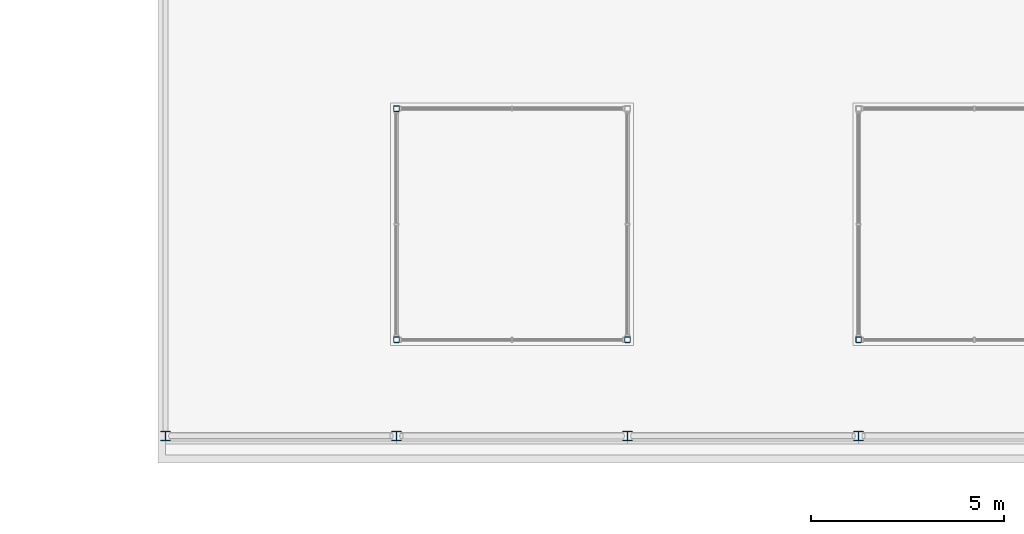
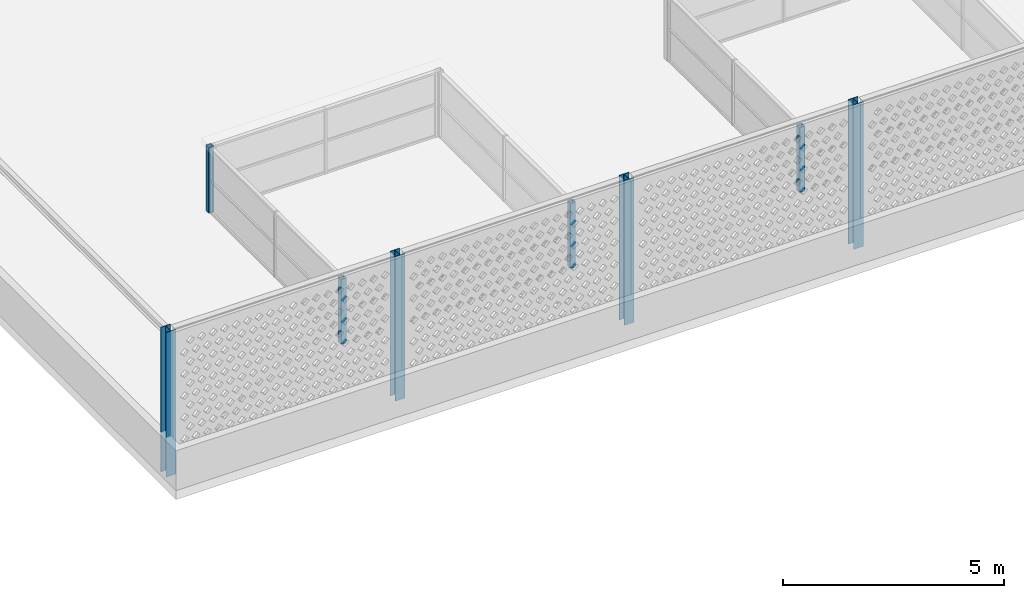
# One storey, part 1 of 18: 8 columns.
"""IFC4 building model written with IfcOpenShell, lengths in metres."""

from ifc_helpers import new_model, si_unit, direction, frame, origin, origin_2d, place, context, subcontext, project, spatial, hollow_rectangle, i_section, extrude, source, transform, mapped, material, material_profile, profile_set, type_object, element, save


model = new_model("IFC4")

# Units and contexts
model_context = context("Model", 3, precision=1e-05, world=origin(), true_north=direction((0.0, 1.0)))
body_context = subcontext(model_context, "Body", "Model", "MODEL_VIEW")
ifc_project = project(units=[si_unit("LENGTHUNIT", "METRE"), si_unit("AREAUNIT", "SQUARE_METRE"), si_unit("VOLUMEUNIT", "CUBIC_METRE"), si_unit("PLANEANGLEUNIT", "RADIAN"), si_unit("MASSUNIT", "GRAM", prefix="KILO")], contexts=[model_context])

# Site, building, storey
site_placement = place(None, origin())
site = spatial("IfcSite", under=ifc_project, at=site_placement, CompositionType="ELEMENT")
building_placement = place(site_placement, origin())
building = spatial("IfcBuilding", under=site, at=building_placement, Name="Poui Terraces", CompositionType="ELEMENT")
storey_placement = place(building_placement, frame((0.0, 0.0, 285.60009765625)))
storey = spatial("IfcBuildingStorey", under=building, at=storey_placement, Name="L79 CROWN", CompositionType="ELEMENT", Elevation=285.60009765625)

# Columns
ifc_material_1 = material(Name="Steel Grade 300 MPa", Category="steel")
ifc_material_profile_1 = material_profile(ifc_material_1, i_section(OverallWidth=0.25390625, OverallDepth=0.25390625, WebThickness=0.008544921875, FlangeThickness=0.01416015625, FilletRadius=0.013916015625, at=origin_2d()), Name="250UC72.9")
ifc_profile_set_1 = profile_set([ifc_material_profile_1], Name="Steel Grade 300 MPa")
column_type_1 = type_object("IfcColumnType", Name="SCREEN FRAME POST 250UC72.9", PredefinedType="COLUMN", material=ifc_profile_set_1)
shared_shape_1 = source(origin(), body_context, "Body", "SweptSolid", [
    extrude(i_section(OverallWidth=0.25390625, OverallDepth=0.25390625, WebThickness=0.008544921875, FlangeThickness=0.01416015625, FilletRadius=0.013916015625, at=origin_2d()), origin(), (0.0, 0.0, 1.0), 4.0),
])
for number, where, z_axis, x_axis, name in (
    (1, (54.0, 0.5, 0.0), (0.0, 0.0, 1.0), (1.0, 0.0, 0.0), "SCREEN FRAME POST S10"),
    (2, (60.0, 0.5, 0.0), (0.0, 0.0, 1.0), (1.0, 0.0, 0.0), "SCREEN FRAME POST S11"),
    (3, (66.0, 0.5, 0.0), (0.0, 0.0, 1.0), (1.0, 0.0, 0.0), "SCREEN FRAME POST S12"),
    (4, (72.0, 0.5, 0.0), (0.0, 0.0, 1.0), (1.0, 0.0, 0.0), "SCREEN FRAME POST S13"),
):
    element("IfcColumn", number, at=place(storey_placement, frame(where, z_axis=z_axis, x_axis=x_axis)), inside=storey, type_object=column_type_1, Name=name, PredefinedType="COLUMN", context=body_context, shape_type="MappedRepresentation", body=[
        mapped(shared_shape_1, transform((0.0, 0.0, 0.0))),
    ])
ifc_material_2 = material(Name="Steel Grade 350 MPa", Category="steel")
ifc_material_profile_2 = material_profile(ifc_material_2, hollow_rectangle(XDim=0.14990234375, YDim=0.14990234375, WallThickness=0.009033203125, InnerFilletRadius=0.013427734375, OuterFilletRadius=0.0224609375, at=origin_2d()), Name="150x150x9.0 SHS")
ifc_profile_set_2 = profile_set([ifc_material_profile_2], Name="Steel Grade 350 MPa")
column_type_2 = type_object("IfcColumnType", Name="LANTERN POST 150x150x9.0 SHS", PredefinedType="COLUMN", material=ifc_profile_set_2)
shared_shape_2 = source(origin(), body_context, "Body", "SweptSolid", [
    extrude(hollow_rectangle(XDim=0.14990234375, YDim=0.14990234375, WallThickness=0.009033203125, InnerFilletRadius=0.013427734375, OuterFilletRadius=0.0224609375, at=origin_2d()), origin(), (0.0, 0.0, 1.0), 1.7998046875),
])
for number, where, z_axis, x_axis, name in (
    (5, (60.0, 3.0, 0.0), (0.0, 0.0, 1.0), (1.0, 0.0, 0.0), "LANTERN POST"),
    (6, (66.0, 3.0, 0.0), (0.0, 0.0, 1.0), (1.0, 0.0, 0.0), "LANTERN POST"),
    (7, (60.0, 9.0, 0.0), (0.0, 0.0, 1.0), (1.0, 0.0, 0.0), "LANTERN POST"),
    (8, (72.0, 3.0, 0.0), (0.0, 0.0, 1.0), (1.0, 0.0, 0.0), "LANTERN POST"),
):
    element("IfcColumn", number, at=place(storey_placement, frame(where, z_axis=z_axis, x_axis=x_axis)), inside=storey, type_object=column_type_2, Name=name, PredefinedType="COLUMN", context=body_context, shape_type="MappedRepresentation", body=[
        mapped(shared_shape_2, transform((0.0, 0.0, 0.0))),
    ])

save(model, "model.ifc")
